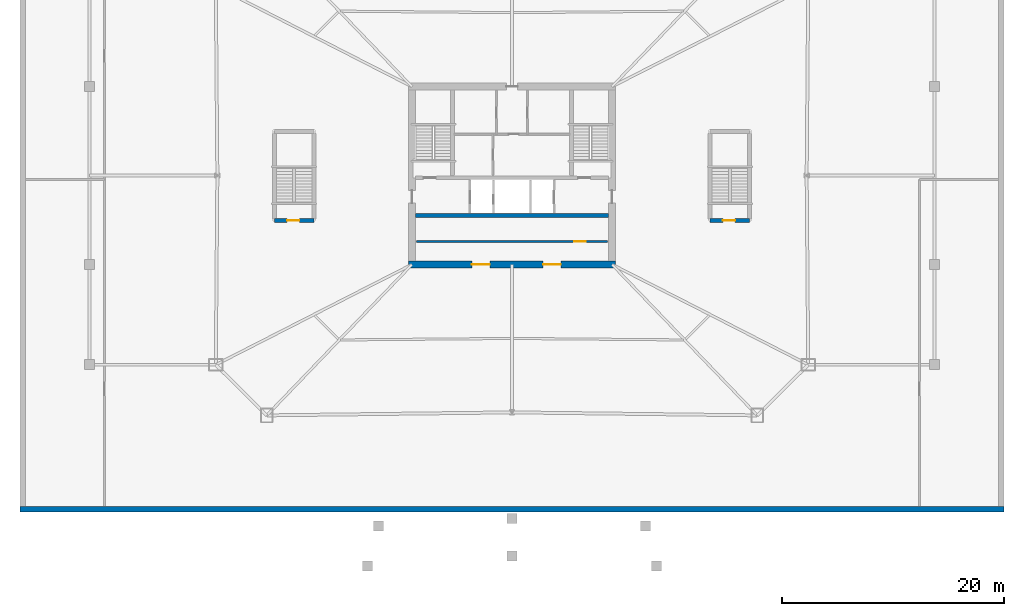
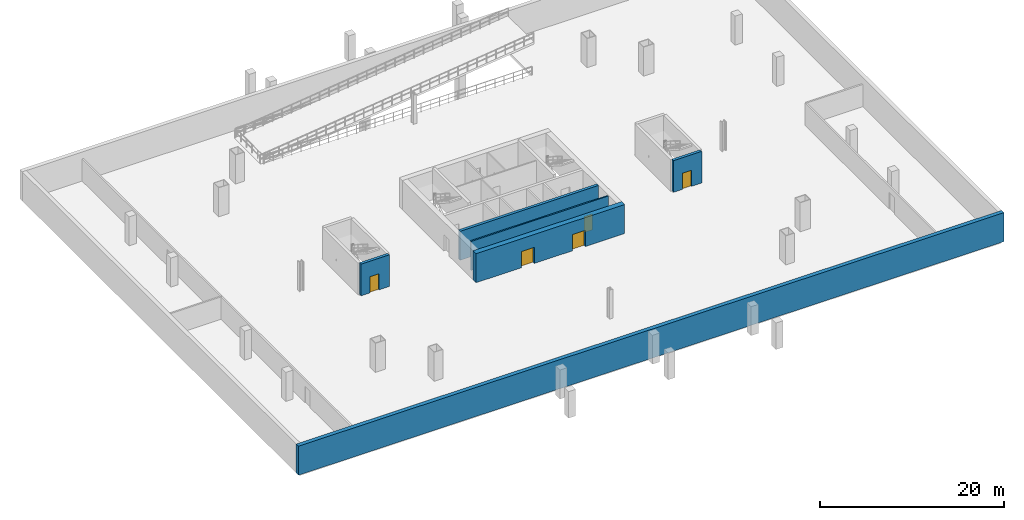
# One storey, part 3 of 9: 6 walls, 5 doors, 5 openings.
"""IFC4 building model written with IfcOpenShell, lengths in metres."""

from ifc_helpers import new_model, si_unit, direction, frame, frame_2d, origin, place, context, subcontext, project, spatial, rectangle, extrude, material, layer, layer_set, type_object, element, fill, save


model = new_model("IFC4")

# Units and contexts
model_context = context("Model", 3, precision=1e-05, world=origin(), true_north=direction((0.0, 1.0)))
body_context = subcontext(model_context, "Body", "Model", "MODEL_VIEW")
ifc_project = project(units=[si_unit("LENGTHUNIT", "METRE"), si_unit("AREAUNIT", "SQUARE_METRE"), si_unit("VOLUMEUNIT", "CUBIC_METRE"), si_unit("PLANEANGLEUNIT", "RADIAN"), si_unit("MASSUNIT", "GRAM", prefix="KILO")], contexts=[model_context])

# Site, building, storey
site_placement = place(None, origin())
site = spatial("IfcSite", under=ifc_project, at=site_placement, CompositionType="ELEMENT")
building_placement = place(site_placement, origin())
building = spatial("IfcBuilding", under=site, at=building_placement, Name="Caelvoria Tower", CompositionType="ELEMENT")
storey_placement = place(building_placement, frame((0.0, 0.0, -4.199951171875)))
storey = spatial("IfcBuildingStorey", under=building, at=storey_placement, Name="B1", CompositionType="ELEMENT", Elevation=-4.199951171875)

# Walls
ifc_material_1 = material(Name="Concrete C40/50", Category="concrete")
ifc_layer_1 = layer(ifc_material_1, 0.5, Name="Concrete C40/50")
ifc_layer_set_1 = layer_set([ifc_layer_1], Name="Basement Retaining Wall 500 - Concrete C40/50")
wall_type_1 = type_object("IfcWallType", Name="Basement Retaining Wall 500", PredefinedType="SOLIDWALL", material=ifc_layer_set_1)
wall_1_placement = place(storey_placement, frame((1.75, 2.0, 0.0), z_axis=(0.0, 0.0, 1.0), x_axis=(1.0, 0.0, 0.0)))
element("IfcWall", 1, at=wall_1_placement, inside=storey, type_object=wall_type_1, Name="B1 Retaining Wall S", PredefinedType="SOLIDWALL", context=body_context, shape_type="SweptSolid", body=[
    extrude(rectangle(XDim=88.5, YDim=0.5, at=frame_2d((44.25, 0.0))), origin(), (0.0, 0.0, 1.0), 3.849853515625),
])
ifc_material_2 = material(Name="Concrete C50/60", Category="concrete")
ifc_layer_2 = layer(ifc_material_2, 0.35009765625, Name="Concrete C50/60")
ifc_layer_set_2 = layer_set([ifc_layer_2], Name="Core Internal Shear Wall 350 - Concrete C50/60")
wall_type_2 = type_object("IfcWallType", Name="Core Internal Shear Wall 350", PredefinedType="SHEAR", material=ifc_layer_set_2)
wall_2_placement = place(storey_placement, frame((37.324951171875, 28.39990234375, 0.0), z_axis=(0.0, 0.0, 1.0), x_axis=(1.0, 0.0, 0.0)))
element("IfcWall", 2, at=wall_2_placement, inside=storey, type_object=wall_type_2, Name="Core Shear Wall B1 M2", PredefinedType="SHEAR", context=body_context, shape_type="SweptSolid", body=[
    extrude(rectangle(XDim=17.35009765625, YDim=0.35009765625, at=frame_2d((8.675048828125, 0.0))), origin(), (0.0, 0.0, 1.0), 3.849853515625),
])

# Wall, opening, door
wall_3_placement = place(storey_placement, frame((24.625, 27.949951171875, 0.0), z_axis=(0.0, 0.0, 1.0), x_axis=(1.0, 0.0, 0.0)))
wall_3 = element("IfcWall", 3, at=wall_3_placement, inside=storey, type_object=wall_type_2, Name="Podium Stair Shear Wall B1 ST3 S", PredefinedType="SHEAR", context=body_context, shape_type="SweptSolid", body=[
    extrude(rectangle(XDim=3.550048828125, YDim=0.35009765625, at=frame_2d((1.77490234375, 0.0))), origin(), (0.0, 0.0, 1.0), 4.199951171875),
])
opening_1_placement = place(wall_3_placement, frame((1.14990234375, 0.0, 0.0)))
opening_1 = element("IfcOpeningElement", 4, at=opening_1_placement, cuts=wall_3, Name="Opening ID-01", PredefinedType="OPENING", context=body_context, shape_type="SweptSolid", body=[
    extrude(rectangle(XDim=1.10009765625, YDim=2.14990234375, at=frame_2d((0.550048828125, 1.074951171875))), frame((0.0, 0.18505859375, 0.0), z_axis=(0.0, -1.0, 0.0), x_axis=(1.0, 0.0, 0.0)), (0.0, 0.0, 1.0), 0.3701171875),
])
ifc_material_3 = material(Name="Painted Hollow Steel Fire Door", Category="steel")
door_type_1 = type_object("IfcDoorType", Name="Fire Door FD90S 1100x2150", OperationType="NOTDEFINED", PredefinedType="DOOR", material=ifc_material_3)
door_1_placement = place(opening_1_placement, origin())
door_1 = element("IfcDoor", 5, at=door_1_placement, inside=storey, type_object=door_type_1, Name="Podium Stair Door B1 ST3", OperationType="SINGLE_SWING_RIGHT", OverallHeight=2.14990234375, OverallWidth=1.10009765625, PredefinedType="DOOR", context=body_context, shape_type="SweptSolid", body=[
    extrude(rectangle(XDim=1.10009765625, YDim=2.14990234375, at=frame_2d((0.550048828125, 1.074951171875))), frame((0.0, 0.02490234375, 0.0), z_axis=(0.0, -1.0, 0.0), x_axis=(1.0, 0.0, 0.0)), (0.0, 0.0, 1.0), 0.050048828125),
])
fill(opening_1, door_1)

wall_4_placement = place(storey_placement, frame((63.824951171875, 27.949951171875, 0.0), z_axis=(0.0, 0.0, 1.0), x_axis=(1.0, 0.0, 0.0)))
wall_4 = element("IfcWall", 6, at=wall_4_placement, inside=storey, type_object=wall_type_2, Name="Podium Stair Shear Wall B1 ST4 S", PredefinedType="SHEAR", context=body_context, shape_type="SweptSolid", body=[
    extrude(rectangle(XDim=3.550048828125, YDim=0.35009765625, at=frame_2d((1.77490234375, 0.0))), origin(), (0.0, 0.0, 1.0), 4.199951171875),
])
opening_2_placement = place(wall_4_placement, frame((1.14990234375, 0.0, 0.0)))
opening_2 = element("IfcOpeningElement", 7, at=opening_2_placement, cuts=wall_4, Name="Opening ID-01", PredefinedType="OPENING", context=body_context, shape_type="SweptSolid", body=[
    extrude(rectangle(XDim=1.10009765625, YDim=2.14990234375, at=frame_2d((0.550048828125, 1.074951171875))), frame((0.0, 0.18505859375, 0.0), z_axis=(0.0, -1.0, 0.0), x_axis=(1.0, 0.0, 0.0)), (0.0, 0.0, 1.0), 0.3701171875),
])
door_2_placement = place(opening_2_placement, origin())
door_2 = element("IfcDoor", 8, at=door_2_placement, inside=storey, type_object=door_type_1, Name="Podium Stair Door B1 ST4", OperationType="SINGLE_SWING_RIGHT", OverallHeight=2.14990234375, OverallWidth=1.10009765625, PredefinedType="DOOR", context=body_context, shape_type="SweptSolid", body=[
    extrude(rectangle(XDim=1.10009765625, YDim=2.14990234375, at=frame_2d((0.550048828125, 1.074951171875))), frame((0.0, 0.02490234375, 0.0), z_axis=(0.0, -1.0, 0.0), x_axis=(1.0, 0.0, 0.0)), (0.0, 0.0, 1.0), 0.050048828125),
])
fill(opening_2, door_2)

ifc_material_4 = material(Name="Concrete Block and Fireboard Assembly", Category="concrete")
ifc_layer_3 = layer(ifc_material_4, 0.179931640625, Name="Concrete Block and Fireboard Assembly")
ifc_layer_set_3 = layer_set([ifc_layer_3], Name="Fire-Rated Hoistway Partition Wall 180 - Concrete Block and Fireboard Assembly")
wall_type_3 = type_object("IfcWallType", Name="Fire-Rated Hoistway Partition Wall 180", PredefinedType="PARTITIONING", material=ifc_layer_set_3)
wall_5_placement = place(storey_placement, frame((37.39990234375, 26.050048828125, 0.0), z_axis=(0.0, 0.0, 1.0), x_axis=(1.0, 0.0, 0.0)))
wall_5 = element("IfcWall", 9, at=wall_5_placement, inside=storey, type_object=wall_type_3, Name="Interior Partition IW-B1-LFRONT", PredefinedType="PARTITIONING", context=body_context, shape_type="SweptSolid", body=[
    extrude(rectangle(XDim=17.2001953125, YDim=0.179931640625, at=frame_2d((8.60009765625, 0.0))), origin(), (0.0, 0.0, 1.0), 3.849853515625),
])
opening_3_placement = place(wall_5_placement, frame((14.199951171875, 0.0, 0.0)))
opening_3 = element("IfcOpeningElement", 10, at=opening_3_placement, cuts=wall_5, Name="Opening LD-01", PredefinedType="OPENING", context=body_context, shape_type="SweptSolid", body=[
    extrude(rectangle(XDim=1.050048828125, YDim=2.14990234375, at=frame_2d((0.52490234375, 1.074951171875))), frame((0.0, 0.099853515625, 0.0), z_axis=(0.0, -1.0, 0.0), x_axis=(1.0, 0.0, 0.0)), (0.0, 0.0, 1.0), 0.199951171875),
])
ifc_material_5 = material(Name="Brushed Bronze Stainless Sliding Landing Door", Category="aluminium")
door_type_2 = type_object("IfcDoorType", Name="Lift Landing Sliding Door 1100x2150", OperationType="NOTDEFINED", PredefinedType="DOOR", material=ifc_material_5)
door_3_placement = place(opening_3_placement, origin())
door_3 = element("IfcDoor", 11, at=door_3_placement, inside=storey, type_object=door_type_2, Name="Interior Door LD-B1-PP1", OperationType="SLIDING_TO_LEFT", OverallHeight=2.14990234375, OverallWidth=1.050048828125, PredefinedType="DOOR", context=body_context, shape_type="SweptSolid", body=[
    extrude(rectangle(XDim=1.050048828125, YDim=2.14990234375, at=frame_2d((0.52490234375, 1.074951171875))), frame((0.0, 0.02490234375, 0.0), z_axis=(0.0, -1.0, 0.0), x_axis=(1.0, 0.0, 0.0)), (0.0, 0.0, 1.0), 0.050048828125),
])
fill(opening_3, door_3)

# Wall, openings, doors
ifc_material_6 = material(Name="Concrete C60/75", Category="concrete")
ifc_layer_4 = layer(ifc_material_6, 0.64990234375, Name="Concrete C60/75")
ifc_layer_set_4 = layer_set([ifc_layer_4], Name="Lower Core Shear Wall 650 - Concrete C60/75")
wall_type_4 = type_object("IfcWallType", Name="Lower Core Shear Wall 650", PredefinedType="SHEAR", material=ifc_layer_set_4)
wall_6_placement = place(storey_placement, frame((36.675048828125, 24.0, 0.0), z_axis=(0.0, 0.0, 1.0), x_axis=(1.0, 0.0, 0.0)))
wall_6 = element("IfcWall", 12, at=wall_6_placement, inside=storey, type_object=wall_type_4, Name="Core Shear Wall B1 S", PredefinedType="SHEAR", context=body_context, shape_type="SweptSolid", body=[
    extrude(rectangle(XDim=18.64990234375, YDim=0.64990234375, at=frame_2d((9.324951171875, 0.0))), origin(), (0.0, 0.0, 1.0), 3.849853515625),
])
opening_4_placement = place(wall_6_placement, frame((5.72509765625, 0.0, 0.0)))
opening_4 = element("IfcOpeningElement", 13, at=opening_4_placement, cuts=wall_6, Name="Opening ID-08", PredefinedType="OPENING", context=body_context, shape_type="SweptSolid", body=[
    extrude(rectangle(XDim=1.60009765625, YDim=2.14990234375, at=frame_2d((0.800048828125, 1.074951171875))), frame((0.0, 0.3349609375, 0.0), z_axis=(0.0, -1.0, 0.0), x_axis=(1.0, 0.0, 0.0)), (0.0, 0.0, 1.0), 0.669921875),
])
opening_5_placement = place(wall_6_placement, frame((12.125, 0.0, 0.0)))
opening_5 = element("IfcOpeningElement", 14, at=opening_5_placement, cuts=wall_6, Name="Opening ID-08", PredefinedType="OPENING", context=body_context, shape_type="SweptSolid", body=[
    extrude(rectangle(XDim=1.60009765625, YDim=2.14990234375, at=frame_2d((0.800048828125, 1.074951171875))), frame((0.0, 0.3349609375, 0.0), z_axis=(0.0, -1.0, 0.0), x_axis=(1.0, 0.0, 0.0)), (0.0, 0.0, 1.0), 0.669921875),
])
ifc_material_7 = material(Name="Bronze-Framed Fire-Rated Glazed Double Door", Category="aluminium")
door_type_3 = type_object("IfcDoorType", Name="Double Lobby Glazed Door 1600x2200", OperationType="NOTDEFINED", PredefinedType="DOOR", material=ifc_material_7)
door_4_placement = place(opening_4_placement, origin())
door_4 = element("IfcDoor", 15, at=door_4_placement, inside=storey, type_object=door_type_3, Name="Core Door DR-B1-LLOB-S1", OperationType="DOUBLE_DOOR_SINGLE_SWING", OverallHeight=2.14990234375, OverallWidth=1.60009765625, PredefinedType="DOOR", context=body_context, shape_type="SweptSolid", body=[
    extrude(rectangle(XDim=1.60009765625, YDim=2.14990234375, at=frame_2d((0.800048828125, 1.074951171875))), frame((0.0, 0.02490234375, 0.0), z_axis=(0.0, -1.0, 0.0), x_axis=(1.0, 0.0, 0.0)), (0.0, 0.0, 1.0), 0.050048828125),
])
fill(opening_4, door_4)
door_5_placement = place(opening_5_placement, origin())
door_5 = element("IfcDoor", 16, at=door_5_placement, inside=storey, type_object=door_type_3, Name="Core Door DR-B1-LLOB-S2", OperationType="DOUBLE_DOOR_SINGLE_SWING", OverallHeight=2.14990234375, OverallWidth=1.60009765625, PredefinedType="DOOR", context=body_context, shape_type="SweptSolid", body=[
    extrude(rectangle(XDim=1.60009765625, YDim=2.14990234375, at=frame_2d((0.800048828125, 1.074951171875))), frame((0.0, 0.02490234375, 0.0), z_axis=(0.0, -1.0, 0.0), x_axis=(1.0, 0.0, 0.0)), (0.0, 0.0, 1.0), 0.050048828125),
])
fill(opening_5, door_5)

save(model, "model.ifc")
